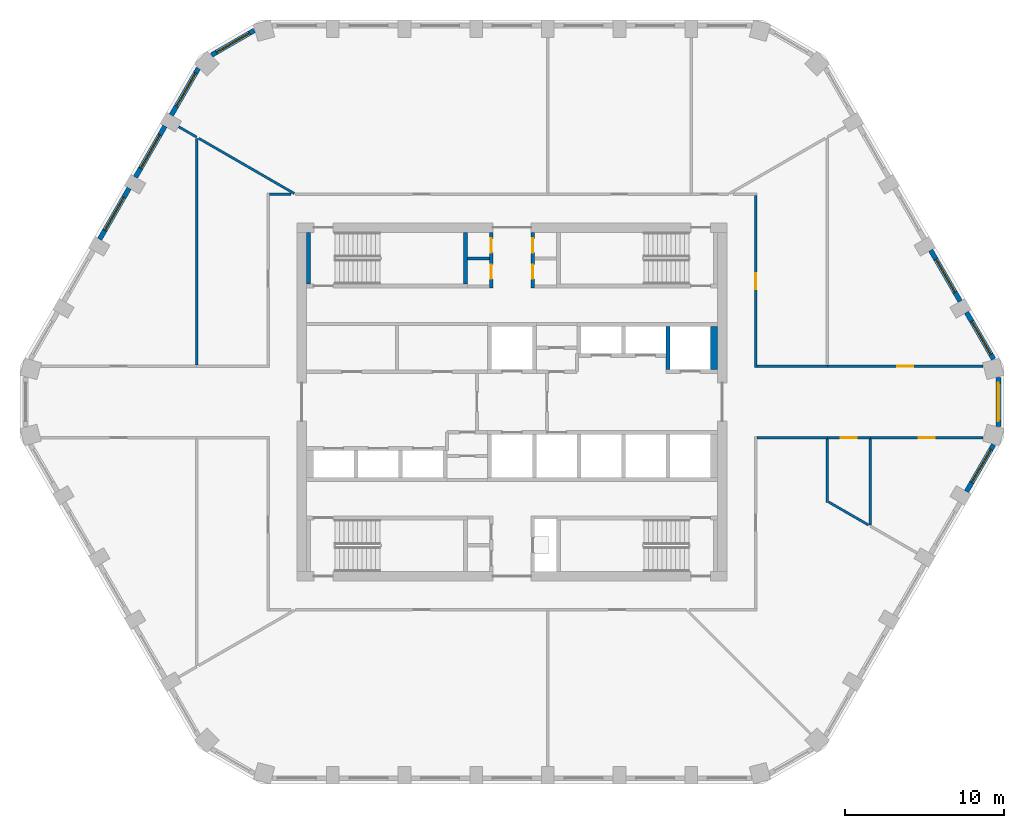
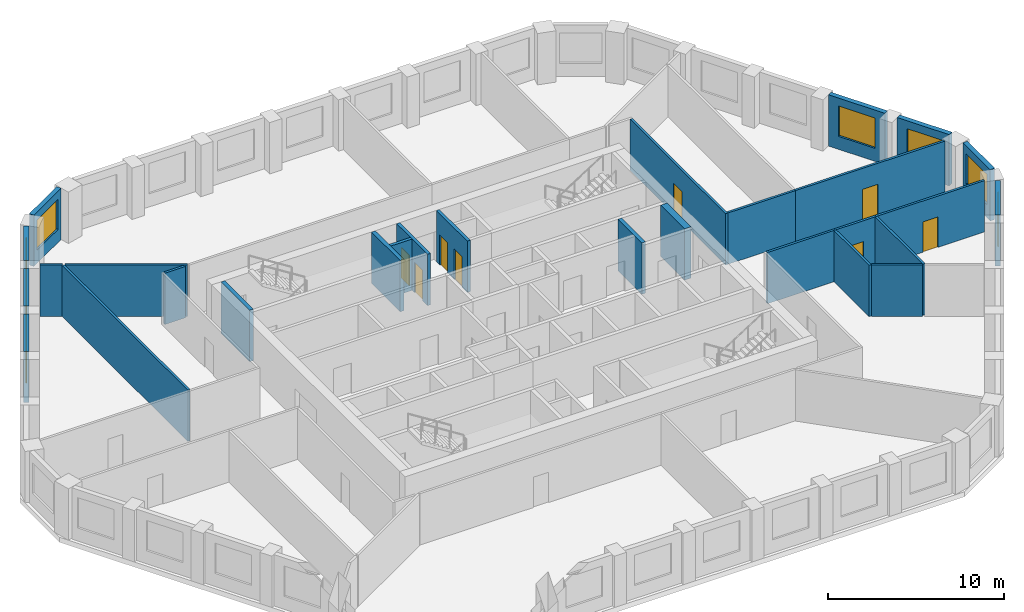
# One storey, part 5 of 8: 28 walls, 8 doors, 8 windows, 16 openings.
"""IFC4 building model written with IfcOpenShell, lengths in metres."""

from ifc_helpers import new_model, si_unit, direction, frame, frame_2d, origin, place, context, subcontext, project, spatial, polyline, rectangle, outline, extrude, material, layer, layer_set, type_object, element, fill, save


model = new_model("IFC4")

# Units and contexts
model_context = context("Model", 3, precision=1e-05, world=origin(), true_north=direction((0.0, 1.0)))
body_context = subcontext(model_context, "Body", "Model", "MODEL_VIEW")
ifc_project = project(units=[si_unit("LENGTHUNIT", "METRE"), si_unit("AREAUNIT", "SQUARE_METRE"), si_unit("VOLUMEUNIT", "CUBIC_METRE"), si_unit("PLANEANGLEUNIT", "RADIAN"), si_unit("MASSUNIT", "GRAM", prefix="KILO")], contexts=[model_context])

# Site, building, storey
site_placement = place(None, origin())
site = spatial("IfcSite", under=ifc_project, at=site_placement, CompositionType="ELEMENT")
building_placement = place(site_placement, origin())
building = spatial("IfcBuilding", under=site, at=building_placement, Name="Dhurran Vertical Campus", CompositionType="ELEMENT")
storey_placement = place(building_placement, frame((0.0, 0.0, 222.89990234375)))
storey = spatial("IfcBuildingStorey", under=building, at=storey_placement, Name="L55", CompositionType="ELEMENT", Elevation=222.89990234375)

# Wall, opening, window
ifc_material_1 = material(Name="Precast concrete C50/60", Category="concrete")
ifc_layer_1 = layer(ifc_material_1, 0.300048828125)
ifc_layer_set_1 = layer_set([ifc_layer_1], Name="Precast concrete C50/60")
wall_type_1 = type_object("IfcWallType", Name="Precast spandrel wall 300", PredefinedType="SOLIDWALL", material=ifc_layer_set_1)
wall_1_placement = place(storey_placement, frame((28.544189453125, -5.625244140625, 0.0), z_axis=(0.0, 0.0, 1.0), x_axis=(0.500012868213, 0.866017974191, 0.0)))
wall_1 = element("IfcWall", 1, at=wall_1_placement, inside=storey, type_object=wall_type_1, Name="EW1 L55.12", PredefinedType="SOLIDWALL", context=body_context, shape_type="SweptSolid", body=[
    extrude(rectangle(XDim=3.39599609375, YDim=0.300048828125, at=frame_2d((1.697998046875, 0.0))), origin(), (0.0, 0.0, 1.0), 3.550048828125),
])
opening_1_placement = place(wall_1_placement, frame((0.6494140625, 0.0, 0.89990234375)))
opening_1 = element("IfcOpeningElement", 2, at=opening_1_placement, cuts=wall_1, Name="Opening WT1", PredefinedType="OPENING", context=body_context, shape_type="SweptSolid", body=[
    extrude(rectangle(XDim=2.39990234375, YDim=2.10009765625, at=frame_2d((1.199951171875, 1.050048828125))), frame((0.0, 0.159912109375, 0.0), z_axis=(0.0, -1.0, 0.0), x_axis=(1.0, 0.0, 0.0)), (0.0, 0.0, 1.0), 0.320068359375),
])
ifc_material_2 = material(Name="Aluminium frame with solar-control glass", Category="aluminium")
window_type = type_object("IfcWindowType", Name="Punched window 2400 x 2100", PartitioningType="SINGLE_PANEL", PredefinedType="WINDOW", material=ifc_material_2)
window_1_placement = place(opening_1_placement, origin())
window_1 = element("IfcWindow", 3, at=window_1_placement, inside=storey, type_object=window_type, Name="WT1 L55.12", OverallHeight=2.10009765625, OverallWidth=2.39990234375, PartitioningType="SINGLE_PANEL", PredefinedType="WINDOW", context=body_context, shape_type="SweptSolid", body=[
    extrude(rectangle(XDim=2.39990234375, YDim=2.10009765625, at=frame_2d((1.199951171875, 1.050048828125))), frame((0.0, 0.030029296875, 0.0), z_axis=(0.0, -1.0, 0.0), x_axis=(1.0, 0.0, 0.0)), (0.0, 0.0, 1.0), 0.06005859375),
])
fill(opening_1, window_1)

wall_2_placement = place(storey_placement, frame((30.547119140625, -1.54638671875, 0.0), z_axis=(0.0, 0.0, 1.0), x_axis=(0.0, 1.0, 0.0)))
wall_2 = element("IfcWall", 4, at=wall_2_placement, inside=storey, type_object=wall_type_1, Name="EW1 L55.13", PredefinedType="SOLIDWALL", context=body_context, shape_type="SweptSolid", body=[
    extrude(rectangle(XDim=3.0927734375, YDim=0.300048828125, at=frame_2d((1.54638671875, 0.0))), origin(), (0.0, 0.0, 1.0), 3.550048828125),
])
opening_2_placement = place(wall_2_placement, frame((0.34619140625, 0.0, 0.89990234375)))
opening_2 = element("IfcOpeningElement", 5, at=opening_2_placement, cuts=wall_2, Name="Opening WT1", PredefinedType="OPENING", context=body_context, shape_type="SweptSolid", body=[
    extrude(rectangle(XDim=2.39990234375, YDim=2.10009765625, at=frame_2d((1.199951171875, 1.050048828125))), frame((0.0, 0.159912109375, 0.0), z_axis=(0.0, -1.0, 0.0), x_axis=(1.0, 0.0, 0.0)), (0.0, 0.0, 1.0), 0.320068359375),
])
window_2_placement = place(opening_2_placement, origin())
window_2 = element("IfcWindow", 6, at=window_2_placement, inside=storey, type_object=window_type, Name="WT1 L55.13", OverallHeight=2.10009765625, OverallWidth=2.39990234375, PartitioningType="SINGLE_PANEL", PredefinedType="WINDOW", context=body_context, shape_type="SweptSolid", body=[
    extrude(rectangle(XDim=2.39990234375, YDim=2.10009765625, at=frame_2d((1.199951171875, 1.050048828125))), frame((0.0, 0.030029296875, 0.0), z_axis=(0.0, -1.0, 0.0), x_axis=(1.0, 0.0, 0.0)), (0.0, 0.0, 1.0), 0.06005859375),
])
fill(opening_2, window_2)

wall_3_placement = place(storey_placement, frame((30.2421875, 2.684326171875, 0.0), z_axis=(0.0, 0.0, 1.0), x_axis=(-0.500012868213, 0.866017974191, 0.0)))
wall_3 = element("IfcWall", 7, at=wall_3_placement, inside=storey, type_object=wall_type_1, Name="EW1 L55.14", PredefinedType="SOLIDWALL", context=body_context, shape_type="SweptSolid", body=[
    extrude(rectangle(XDim=3.39599609375, YDim=0.300048828125, at=frame_2d((1.697998046875, 0.0))), origin(), (0.0, 0.0, 1.0), 3.550048828125),
])
opening_3_placement = place(wall_3_placement, frame((0.346435546875, 0.0, 0.89990234375)))
opening_3 = element("IfcOpeningElement", 8, at=opening_3_placement, cuts=wall_3, Name="Opening WT1", PredefinedType="OPENING", context=body_context, shape_type="SweptSolid", body=[
    extrude(rectangle(XDim=2.39990234375, YDim=2.10009765625, at=frame_2d((1.199951171875, 1.050048828125))), frame((0.0, 0.159912109375, 0.0), z_axis=(0.0, -1.0, 0.0), x_axis=(1.0, 0.0, 0.0)), (0.0, 0.0, 1.0), 0.320068359375),
])
window_3_placement = place(opening_3_placement, origin())
window_3 = element("IfcWindow", 9, at=window_3_placement, inside=storey, type_object=window_type, Name="WT1 L55.14", OverallHeight=2.10009765625, OverallWidth=2.39990234375, PartitioningType="SINGLE_PANEL", PredefinedType="WINDOW", context=body_context, shape_type="SweptSolid", body=[
    extrude(rectangle(XDim=2.39990234375, YDim=2.10009765625, at=frame_2d((1.199951171875, 1.050048828125))), frame((0.0, 0.030029296875, 0.0), z_axis=(0.0, -1.0, 0.0), x_axis=(1.0, 0.0, 0.0)), (0.0, 0.0, 1.0), 0.06005859375),
])
fill(opening_3, window_3)

wall_4_placement = place(storey_placement, frame((28.143798828125, 6.319091796875, 0.0), z_axis=(0.0, 0.0, 1.0), x_axis=(-0.500029062817, 0.866008623709, 0.0)))
wall_4 = element("IfcWall", 10, at=wall_4_placement, inside=storey, type_object=wall_type_1, Name="EW1 L55.15", PredefinedType="SOLIDWALL", context=body_context, shape_type="SweptSolid", body=[
    extrude(rectangle(XDim=3.698974609375, YDim=0.300048828125, at=frame_2d((1.849609375, 0.0))), origin(), (0.0, 0.0, 1.0), 3.550048828125),
])
opening_4_placement = place(wall_4_placement, frame((0.6494140625, 0.0, 0.89990234375)))
opening_4 = element("IfcOpeningElement", 11, at=opening_4_placement, cuts=wall_4, Name="Opening WT1", PredefinedType="OPENING", context=body_context, shape_type="SweptSolid", body=[
    extrude(rectangle(XDim=2.39990234375, YDim=2.10009765625, at=frame_2d((1.199951171875, 1.050048828125))), frame((0.0, 0.159912109375, 0.0), z_axis=(0.0, -1.0, 0.0), x_axis=(1.0, 0.0, 0.0)), (0.0, 0.0, 1.0), 0.320068359375),
])
window_4_placement = place(opening_4_placement, origin())
window_4 = element("IfcWindow", 12, at=window_4_placement, inside=storey, type_object=window_type, Name="WT1 L55.15", OverallHeight=2.10009765625, OverallWidth=2.39990234375, PartitioningType="SINGLE_PANEL", PredefinedType="WINDOW", context=body_context, shape_type="SweptSolid", body=[
    extrude(rectangle(XDim=2.39990234375, YDim=2.10009765625, at=frame_2d((1.199951171875, 1.050048828125))), frame((0.0, 0.030029296875, 0.0), z_axis=(0.0, -1.0, 0.0), x_axis=(1.0, 0.0, 0.0)), (0.0, 0.0, 1.0), 0.06005859375),
])
fill(opening_4, window_4)

wall_5_placement = place(storey_placement, frame((-16.184326171875, 23.330810546875, 0.0), z_axis=(0.0, 0.0, 1.0), x_axis=(-0.865994975416, -0.500052699777, 0.0)))
wall_5 = element("IfcWall", 13, at=wall_5_placement, inside=storey, type_object=wall_type_1, Name="EW1 L55.27", PredefinedType="SOLIDWALL", context=body_context, shape_type="SweptSolid", body=[
    extrude(rectangle(XDim=3.093017578125, YDim=0.300048828125, at=frame_2d((1.54638671875, 0.0))), origin(), (0.0, 0.0, 1.0), 3.550048828125),
])
opening_5_placement = place(wall_5_placement, frame((0.346435546875, 0.0, 0.89990234375)))
opening_5 = element("IfcOpeningElement", 14, at=opening_5_placement, cuts=wall_5, Name="Opening WT1", PredefinedType="OPENING", context=body_context, shape_type="SweptSolid", body=[
    extrude(rectangle(XDim=2.39990234375, YDim=2.10009765625, at=frame_2d((1.199951171875, 1.050048828125))), frame((0.0, 0.159912109375, 0.0), z_axis=(0.0, -1.0, 0.0), x_axis=(1.0, 0.0, 0.0)), (0.0, 0.0, 1.0), 0.320068359375),
])
window_5_placement = place(opening_5_placement, origin())
window_5 = element("IfcWindow", 15, at=window_5_placement, inside=storey, type_object=window_type, Name="WT1 L55.27", OverallHeight=2.10009765625, OverallWidth=2.39990234375, PartitioningType="SINGLE_PANEL", PredefinedType="WINDOW", context=body_context, shape_type="SweptSolid", body=[
    extrude(rectangle(XDim=2.39990234375, YDim=2.10009765625, at=frame_2d((1.199951171875, 1.050048828125))), frame((0.0, 0.030029296875, 0.0), z_axis=(0.0, -1.0, 0.0), x_axis=(1.0, 0.0, 0.0)), (0.0, 0.0, 1.0), 0.06005859375),
])
fill(opening_5, window_5)

wall_6_placement = place(storey_placement, frame((-19.69580078125, 20.951171875, 0.0), z_axis=(0.0, 0.0, 1.0), x_axis=(-0.500012868213, -0.866017974191, 0.0)))
wall_6 = element("IfcWall", 16, at=wall_6_placement, inside=storey, type_object=wall_type_1, Name="EW1 L55.28", PredefinedType="SOLIDWALL", context=body_context, shape_type="SweptSolid", body=[
    extrude(rectangle(XDim=3.39599609375, YDim=0.300048828125, at=frame_2d((1.697998046875, 0.0))), origin(), (0.0, 0.0, 1.0), 3.550048828125),
])
opening_6_placement = place(wall_6_placement, frame((0.346435546875, 0.0, 0.89990234375)))
opening_6 = element("IfcOpeningElement", 17, at=opening_6_placement, cuts=wall_6, Name="Opening WT1", PredefinedType="OPENING", context=body_context, shape_type="SweptSolid", body=[
    extrude(rectangle(XDim=2.39990234375, YDim=2.10009765625, at=frame_2d((1.199951171875, 1.050048828125))), frame((0.0, 0.159912109375, 0.0), z_axis=(0.0, -1.0, 0.0), x_axis=(1.0, 0.0, 0.0)), (0.0, 0.0, 1.0), 0.320068359375),
])
window_6_placement = place(opening_6_placement, origin())
window_6 = element("IfcWindow", 18, at=window_6_placement, inside=storey, type_object=window_type, Name="WT1 L55.28", OverallHeight=2.10009765625, OverallWidth=2.39990234375, PartitioningType="SINGLE_PANEL", PredefinedType="WINDOW", context=body_context, shape_type="SweptSolid", body=[
    extrude(rectangle(XDim=2.39990234375, YDim=2.10009765625, at=frame_2d((1.199951171875, 1.050048828125))), frame((0.0, 0.030029296875, 0.0), z_axis=(0.0, -1.0, 0.0), x_axis=(1.0, 0.0, 0.0)), (0.0, 0.0, 1.0), 0.06005859375),
])
fill(opening_6, window_6)

wall_7_placement = place(storey_placement, frame((-21.794189453125, 17.316650390625, 0.0), z_axis=(0.0, 0.0, 1.0), x_axis=(-0.500029062817, -0.866008623709, 0.0)))
wall_7 = element("IfcWall", 19, at=wall_7_placement, inside=storey, type_object=wall_type_1, Name="EW1 L55.29", PredefinedType="SOLIDWALL", context=body_context, shape_type="SweptSolid", body=[
    extrude(rectangle(XDim=3.698974609375, YDim=0.300048828125, at=frame_2d((1.849609375, 0.0))), origin(), (0.0, 0.0, 1.0), 3.550048828125),
])
opening_7_placement = place(wall_7_placement, frame((0.6494140625, 0.0, 0.89990234375)))
opening_7 = element("IfcOpeningElement", 20, at=opening_7_placement, cuts=wall_7, Name="Opening WT1", PredefinedType="OPENING", context=body_context, shape_type="SweptSolid", body=[
    extrude(rectangle(XDim=2.39990234375, YDim=2.10009765625, at=frame_2d((1.199951171875, 1.050048828125))), frame((0.0, 0.159912109375, 0.0), z_axis=(0.0, -1.0, 0.0), x_axis=(1.0, 0.0, 0.0)), (0.0, 0.0, 1.0), 0.320068359375),
])
window_7_placement = place(opening_7_placement, origin())
window_7 = element("IfcWindow", 21, at=window_7_placement, inside=storey, type_object=window_type, Name="WT1 L55.29", OverallHeight=2.10009765625, OverallWidth=2.39990234375, PartitioningType="SINGLE_PANEL", PredefinedType="WINDOW", context=body_context, shape_type="SweptSolid", body=[
    extrude(rectangle(XDim=2.39990234375, YDim=2.10009765625, at=frame_2d((1.199951171875, 1.050048828125))), frame((0.0, 0.030029296875, 0.0), z_axis=(0.0, -1.0, 0.0), x_axis=(1.0, 0.0, 0.0)), (0.0, 0.0, 1.0), 0.06005859375),
])
fill(opening_7, window_7)

wall_8_placement = place(storey_placement, frame((-24.044189453125, 13.41943359375, 0.0), z_axis=(0.0, 0.0, 1.0), x_axis=(-0.500029062817, -0.866008623709, 0.0)))
wall_8 = element("IfcWall", 22, at=wall_8_placement, inside=storey, type_object=wall_type_1, Name="EW1 L55.30", PredefinedType="SOLIDWALL", context=body_context, shape_type="SweptSolid", body=[
    extrude(rectangle(XDim=3.698974609375, YDim=0.300048828125, at=frame_2d((1.849609375, 0.0))), origin(), (0.0, 0.0, 1.0), 3.550048828125),
])
opening_8_placement = place(wall_8_placement, frame((0.6494140625, 0.0, 0.89990234375)))
opening_8 = element("IfcOpeningElement", 23, at=opening_8_placement, cuts=wall_8, Name="Opening WT1", PredefinedType="OPENING", context=body_context, shape_type="SweptSolid", body=[
    extrude(rectangle(XDim=2.39990234375, YDim=2.10009765625, at=frame_2d((1.199951171875, 1.050048828125))), frame((0.0, 0.159912109375, 0.0), z_axis=(0.0, -1.0, 0.0), x_axis=(1.0, 0.0, 0.0)), (0.0, 0.0, 1.0), 0.320068359375),
])
window_8_placement = place(opening_8_placement, origin())
window_8 = element("IfcWindow", 24, at=window_8_placement, inside=storey, type_object=window_type, Name="WT1 L55.30", OverallHeight=2.10009765625, OverallWidth=2.39990234375, PartitioningType="SINGLE_PANEL", PredefinedType="WINDOW", context=body_context, shape_type="SweptSolid", body=[
    extrude(rectangle(XDim=2.39990234375, YDim=2.10009765625, at=frame_2d((1.199951171875, 1.050048828125))), frame((0.0, 0.030029296875, 0.0), z_axis=(0.0, -1.0, 0.0), x_axis=(1.0, 0.0, 0.0)), (0.0, 0.0, 1.0), 0.06005859375),
])
fill(opening_8, window_8)

# Wall
ifc_material_3 = material(Name="Fire-rated masonry blockwork", Category="masonry")
ifc_layer_2 = layer(ifc_material_3, 0.199951171875)
ifc_layer_set_2 = layer_set([ifc_layer_2], Name="Fire-rated masonry blockwork")
wall_type_2 = type_object("IfcWallType", Name="co-FIRE-PARTITION-200", PredefinedType="PARTITIONING", material=ifc_layer_set_2)
wall_9_placement = place(storey_placement, frame((-2.800048828125, 9.0, 0.0), z_axis=(0.0, 0.0, 1.0), x_axis=(1.0, 0.0, 0.0)))
element("IfcWall", 25, at=wall_9_placement, inside=storey, type_object=wall_type_2, Name="Core partition sl-NW-cut0 L55", PredefinedType="PARTITIONING", context=body_context, shape_type="SweptSolid", body=[
    extrude(rectangle(XDim=1.400146484375, YDim=0.199951171875, at=frame_2d((0.7001953125, 0.0))), origin(), (0.0, 0.0, 1.0), 3.550048828125),
])

# Wall, openings, doors
wall_10_placement = place(storey_placement, frame((-1.300048828125, 7.14990234375, 0.0), z_axis=(0.0, 0.0, 1.0), x_axis=(0.0, 1.0, 0.0)))
wall_10 = element("IfcWall", 26, at=wall_10_placement, inside=storey, type_object=wall_type_2, Name="Core partition vest-NW L55", PredefinedType="PARTITIONING", context=body_context, shape_type="SweptSolid", body=[
    extrude(rectangle(XDim=3.5, YDim=0.199951171875, at=frame_2d((1.75, 0.0))), origin(), (0.0, 0.0, 1.0), 3.550048828125),
])
opening_9_placement = place(wall_10_placement, frame((0.574951171875, 0.0, 0.0)))
opening_9 = element("IfcOpeningElement", 27, at=opening_9_placement, cuts=wall_10, Name="Opening T16-C4", PredefinedType="OPENING", context=body_context, shape_type="SweptSolid", body=[
    extrude(rectangle(XDim=0.89990234375, YDim=2.10009765625, at=frame_2d((0.449951171875, 1.050048828125))), frame((0.0, 0.10986328125, 0.0), z_axis=(0.0, -1.0, 0.0), x_axis=(1.0, 0.0, 0.0)), (0.0, 0.0, 1.0), 0.219970703125),
])
opening_10_placement = place(wall_10_placement, frame((2.22509765625, 0.0, 0.0)))
opening_10 = element("IfcOpeningElement", 28, at=opening_10_placement, cuts=wall_10, Name="Opening T16-C5", PredefinedType="OPENING", context=body_context, shape_type="SweptSolid", body=[
    extrude(rectangle(XDim=0.89990234375, YDim=2.10009765625, at=frame_2d((0.449951171875, 1.050048828125))), frame((0.0, 0.10986328125, 0.0), z_axis=(0.0, -1.0, 0.0), x_axis=(1.0, 0.0, 0.0)), (0.0, 0.0, 1.0), 0.219970703125),
])
ifc_material_4 = material(Name="Fire-rated timber door set", Category="wood")
door_type_1 = type_object("IfcDoorType", Name="co-D-ROOM 900x2100", OperationType="SINGLE_SWING_LEFT", PredefinedType="DOOR", material=ifc_material_4)
door_1_placement = place(opening_9_placement, origin())
door_1 = element("IfcDoor", 29, at=door_1_placement, inside=storey, type_object=door_type_1, Name="Fire equipment store door L55", OperationType="SINGLE_SWING_LEFT", OverallHeight=2.10009765625, OverallWidth=0.89990234375, PredefinedType="DOOR", context=body_context, shape_type="SweptSolid", body=[
    extrude(rectangle(XDim=0.89990234375, YDim=2.10009765625, at=frame_2d((0.449951171875, 1.050048828125))), frame((0.0, 0.02490234375, 0.0), z_axis=(0.0, -1.0, 0.0), x_axis=(1.0, 0.0, 0.0)), (0.0, 0.0, 1.0), 0.050048828125),
])
fill(opening_9, door_1)
door_2_placement = place(opening_10_placement, origin())
door_2 = element("IfcDoor", 30, at=door_2_placement, inside=storey, type_object=door_type_1, Name="Cleaner's store door L55", OperationType="SINGLE_SWING_LEFT", OverallHeight=2.10009765625, OverallWidth=0.89990234375, PredefinedType="DOOR", context=body_context, shape_type="SweptSolid", body=[
    extrude(rectangle(XDim=0.89990234375, YDim=2.10009765625, at=frame_2d((0.449951171875, 1.050048828125))), frame((0.0, 0.02490234375, 0.0), z_axis=(0.0, -1.0, 0.0), x_axis=(1.0, 0.0, 0.0)), (0.0, 0.0, 1.0), 0.050048828125),
])
fill(opening_10, door_2)

wall_11_placement = place(storey_placement, frame((1.300048828125, 7.14990234375, 0.0), z_axis=(0.0, 0.0, 1.0), x_axis=(0.0, 1.0, 0.0)))
wall_11 = element("IfcWall", 31, at=wall_11_placement, inside=storey, type_object=wall_type_2, Name="Core partition vest-NE L55", PredefinedType="PARTITIONING", context=body_context, shape_type="SweptSolid", body=[
    extrude(rectangle(XDim=3.5, YDim=0.199951171875, at=frame_2d((1.75, 0.0))), origin(), (0.0, 0.0, 1.0), 3.550048828125),
])
opening_11_placement = place(wall_11_placement, frame((0.574951171875, 0.0, 0.0)))
opening_11 = element("IfcOpeningElement", 32, at=opening_11_placement, cuts=wall_11, Name="Opening T16-C6", PredefinedType="OPENING", context=body_context, shape_type="SweptSolid", body=[
    extrude(rectangle(XDim=0.89990234375, YDim=2.10009765625, at=frame_2d((0.449951171875, 1.050048828125))), frame((0.0, 0.10986328125, 0.0), z_axis=(0.0, -1.0, 0.0), x_axis=(1.0, 0.0, 0.0)), (0.0, 0.0, 1.0), 0.219970703125),
])
opening_12_placement = place(wall_11_placement, frame((2.22509765625, 0.0, 0.0)))
opening_12 = element("IfcOpeningElement", 33, at=opening_12_placement, cuts=wall_11, Name="Opening T16-C7", PredefinedType="OPENING", context=body_context, shape_type="SweptSolid", body=[
    extrude(rectangle(XDim=0.89990234375, YDim=2.10009765625, at=frame_2d((0.449951171875, 1.050048828125))), frame((0.0, 0.10986328125, 0.0), z_axis=(0.0, -1.0, 0.0), x_axis=(1.0, 0.0, 0.0)), (0.0, 0.0, 1.0), 0.219970703125),
])
door_3_placement = place(opening_11_placement, origin())
door_3 = element("IfcDoor", 34, at=door_3_placement, inside=storey, type_object=door_type_1, Name="Housekeeping store door L55", OperationType="SINGLE_SWING_LEFT", OverallHeight=2.10009765625, OverallWidth=0.89990234375, PredefinedType="DOOR", context=body_context, shape_type="SweptSolid", body=[
    extrude(rectangle(XDim=0.89990234375, YDim=2.10009765625, at=frame_2d((0.449951171875, 1.050048828125))), frame((0.0, 0.02490234375, 0.0), z_axis=(0.0, -1.0, 0.0), x_axis=(1.0, 0.0, 0.0)), (0.0, 0.0, 1.0), 0.050048828125),
])
fill(opening_11, door_3)
door_4_placement = place(opening_12_placement, origin())
door_4 = element("IfcDoor", 35, at=door_4_placement, inside=storey, type_object=door_type_1, Name="Waste room door L55", OperationType="SINGLE_SWING_LEFT", OverallHeight=2.10009765625, OverallWidth=0.89990234375, PredefinedType="DOOR", context=body_context, shape_type="SweptSolid", body=[
    extrude(rectangle(XDim=0.89990234375, YDim=2.10009765625, at=frame_2d((0.449951171875, 1.050048828125))), frame((0.0, 0.02490234375, 0.0), z_axis=(0.0, -1.0, 0.0), x_axis=(1.0, 0.0, 0.0)), (0.0, 0.0, 1.0), 0.050048828125),
])
fill(opening_12, door_4)

# Walls
ifc_material_5 = material(Name="Concrete C50/60", Category="concrete")
ifc_layer_3 = layer(ifc_material_5, 0.25)
ifc_layer_set_3 = layer_set([ifc_layer_3], Name="Concrete C50/60")
wall_type_3 = type_object("IfcWallType", Name="co-SHAFT-MASS-250", PredefinedType="SHEAR", material=ifc_layer_set_3)
wall_12_placement = place(storey_placement, origin())
element("IfcWall", 36, at=wall_12_placement, inside=storey, type_object=wall_type_3, Name="Lift shaft wall N L55 5", PredefinedType="SHEAR", context=body_context, shape_type="SweptSolid", body=[
    extrude(outline(polyline([(9.675048828125, 2.050048828125), (9.925048828125, 2.050048828125), (9.925048828125, 4.75), (9.675048828125, 4.75), (9.675048828125, 2.050048828125)])), origin(), (0.0, 0.0, 1.0), 3.550048828125),
])
wall_13_placement = place(storey_placement, origin())
element("IfcWall", 37, at=wall_13_placement, inside=storey, type_object=wall_type_3, Name="Lift shaft wall N L55 6", PredefinedType="SHEAR", context=body_context, shape_type="SweptSolid", body=[
    extrude(outline(polyline([(12.47509765625, 2.050048828125), (12.89990234375, 2.050048828125), (12.89990234375, 4.75), (12.47509765625, 4.75), (12.47509765625, 2.050048828125)])), origin(), (0.0, 0.0, 1.0), 3.550048828125),
])
ifc_material_6 = material(Name="Concrete C40/50", Category="concrete")
ifc_layer_4 = layer(ifc_material_6, 0.25)
ifc_layer_set_4 = layer_set([ifc_layer_4], Name="Concrete C40/50")
wall_type_4 = type_object("IfcWallType", Name="co-STAIR-WALL-250", PredefinedType="SHEAR", material=ifc_layer_set_4)
for number, where, z_axis, x_axis, name in (
    (38, (-12.77490234375, 7.39990234375, 0.0), (0.0, 0.0, 1.0), (0.0, 1.0, 0.0), "Stair ST1 enclosure wall L55"),
    (39, (-2.925048828125, 7.39990234375, 0.0), (0.0, 0.0, 1.0), (0.0, 1.0, 0.0), "Stair ST1 enclosure wall L55"),
):
    element("IfcWall", number, at=place(storey_placement, frame(where, z_axis=z_axis, x_axis=x_axis)), inside=storey, type_object=wall_type_4, Name=name, PredefinedType="SHEAR", context=body_context, shape_type="SweptSolid", body=[
        extrude(rectangle(XDim=3.25, YDim=0.25, at=frame_2d((1.625, 0.0))), origin(), (0.0, 0.0, 1.0), 3.550048828125),
    ])
ifc_material_7 = material(Name="Gypsum board corridor wall on steel studs", Category="steel")
ifc_layer_5 = layer(ifc_material_7, 0.14990234375)
ifc_layer_set_5 = layer_set([ifc_layer_5], Name="Gypsum board corridor wall on steel studs")
wall_type_5 = type_object("IfcWallType", Name="fl-CW-150 corridor wall", PredefinedType="PARTITIONING", material=ifc_layer_set_5)
wall_14_placement = place(storey_placement, frame((-13.8779296875, 13.050048828125, 0.0), z_axis=(0.0, 0.0, 1.0), x_axis=(-1.0, 0.0, 0.0)))
element("IfcWall", 40, at=wall_14_placement, inside=storey, type_object=wall_type_5, Name="Partition 55-14", PredefinedType="PARTITIONING", context=body_context, shape_type="SweptSolid", body=[
    extrude(rectangle(XDim=1.34716796875, YDim=0.14990234375, at=frame_2d((0.673583984375, 0.0))), origin(), (0.0, 0.0, 1.0), 3.550048828125),
])
wall_15_placement = place(storey_placement, frame((19.800048828125, -2.25, 0.0), z_axis=(0.0, 0.0, 1.0), x_axis=(-1.0, 0.0, 0.0)))
element("IfcWall", 41, at=wall_15_placement, inside=storey, type_object=wall_type_5, Name="Partition 55-28", PredefinedType="PARTITIONING", context=body_context, shape_type="SweptSolid", body=[
    extrude(rectangle(XDim=4.425048828125, YDim=0.14990234375, at=frame_2d((2.21240234375, 0.0))), origin(), (0.0, 0.0, 1.0), 3.550048828125),
])

# Wall, opening, door
wall_16_placement = place(storey_placement, frame((15.300048828125, 2.175048828125, 0.0), z_axis=(0.0, 0.0, 1.0), x_axis=(0.0, 1.0, 0.0)))
wall_16 = element("IfcWall", 42, at=wall_16_placement, inside=storey, type_object=wall_type_5, Name="Partition 55-29", PredefinedType="PARTITIONING", context=body_context, shape_type="SweptSolid", body=[
    extrude(rectangle(XDim=10.800048828125, YDim=0.14990234375, at=frame_2d((5.39990234375, 0.0))), origin(), (0.0, 0.0, 1.0), 3.550048828125),
])
opening_13_placement = place(wall_16_placement, frame((4.89990234375, 0.0, 0.0)))
opening_13 = element("IfcOpeningElement", 43, at=opening_13_placement, cuts=wall_16, Name="Opening T16.10", PredefinedType="OPENING", context=body_context, shape_type="SweptSolid", body=[
    extrude(rectangle(XDim=1.0, YDim=2.10009765625, at=frame_2d((0.5, 1.050048828125))), frame((0.0, 0.0849609375, 0.0), z_axis=(0.0, -1.0, 0.0), x_axis=(1.0, 0.0, 0.0)), (0.0, 0.0, 1.0), 0.169921875),
])
ifc_material_8 = material(Name="Solid-core timber door set, fire-rated", Category="wood")
door_type_2 = type_object("IfcDoorType", Name="fl-D-1000x2100", OperationType="SINGLE_SWING_LEFT", PredefinedType="DOOR", material=ifc_material_8)
door_5_placement = place(opening_13_placement, origin())
door_5 = element("IfcDoor", 44, at=door_5_placement, inside=storey, type_object=door_type_2, Name="Door 55.10", OperationType="SINGLE_SWING_RIGHT", OverallHeight=2.10009765625, OverallWidth=1.0, PredefinedType="DOOR", context=body_context, shape_type="SweptSolid", body=[
    extrude(rectangle(XDim=1.0, YDim=2.10009765625, at=frame_2d((0.5, 1.050048828125))), frame((0.0, 0.02490234375, 0.0), z_axis=(0.0, -1.0, 0.0), x_axis=(1.0, 0.0, 0.0)), (0.0, 0.0, 1.0), 0.050048828125),
])
fill(opening_13, door_5)

# Wall
wall_17_placement = place(storey_placement, frame((15.375, 2.25, 0.0), z_axis=(0.0, 0.0, 1.0), x_axis=(1.0, 0.0, 0.0)))
element("IfcWall", 45, at=wall_17_placement, inside=storey, type_object=wall_type_5, Name="Partition 55-30", PredefinedType="PARTITIONING", context=body_context, shape_type="SweptSolid", body=[
    extrude(rectangle(XDim=4.425048828125, YDim=0.14990234375, at=frame_2d((2.21240234375, 0.0))), origin(), (0.0, 0.0, 1.0), 3.550048828125),
])

# Wall, opening, door
wall_18_placement = place(storey_placement, frame((22.5, -2.25, 0.0), z_axis=(0.0, 0.0, 1.0), x_axis=(-1.0, 0.0, 0.0)))
wall_18 = element("IfcWall", 46, at=wall_18_placement, inside=storey, type_object=wall_type_5, Name="Partition 55-33", PredefinedType="PARTITIONING", context=body_context, shape_type="SweptSolid", body=[
    extrude(rectangle(XDim=2.699951171875, YDim=0.14990234375, at=frame_2d((1.35009765625, 0.0))), origin(), (0.0, 0.0, 1.0), 3.550048828125),
])
opening_14_placement = place(wall_18_placement, frame((0.85009765625, 0.0, 0.0)))
opening_14 = element("IfcOpeningElement", 47, at=opening_14_placement, cuts=wall_18, Name="Opening T16.12", PredefinedType="OPENING", context=body_context, shape_type="SweptSolid", body=[
    extrude(rectangle(XDim=1.0, YDim=2.10009765625, at=frame_2d((0.5, 1.050048828125))), frame((0.0, 0.0849609375, 0.0), z_axis=(0.0, -1.0, 0.0), x_axis=(1.0, 0.0, 0.0)), (0.0, 0.0, 1.0), 0.169921875),
])
door_6_placement = place(opening_14_placement, origin())
door_6 = element("IfcDoor", 48, at=door_6_placement, inside=storey, type_object=door_type_2, Name="Door 55.12", OperationType="SINGLE_SWING_LEFT", OverallHeight=2.10009765625, OverallWidth=1.0, PredefinedType="DOOR", context=body_context, shape_type="SweptSolid", body=[
    extrude(rectangle(XDim=1.0, YDim=2.10009765625, at=frame_2d((0.5, 1.050048828125))), frame((0.0, 0.02490234375, 0.0), z_axis=(0.0, -1.0, 0.0), x_axis=(1.0, 0.0, 0.0)), (0.0, 0.0, 1.0), 0.050048828125),
])
fill(opening_14, door_6)

wall_19_placement = place(storey_placement, frame((19.800048828125, 2.25, 0.0), z_axis=(0.0, 0.0, 1.0), x_axis=(1.0, 0.0, 0.0)))
wall_19 = element("IfcWall", 49, at=wall_19_placement, inside=storey, type_object=wall_type_5, Name="Partition 55-35", PredefinedType="PARTITIONING", context=body_context, shape_type="SweptSolid", body=[
    extrude(rectangle(XDim=9.784912109375, YDim=0.14990234375, at=frame_2d((4.892578125, 0.0))), origin(), (0.0, 0.0, 1.0), 3.550048828125),
])
opening_15_placement = place(wall_19_placement, frame((4.392578125, 0.0, 0.0)))
opening_15 = element("IfcOpeningElement", 50, at=opening_15_placement, cuts=wall_19, Name="Opening T16.13", PredefinedType="OPENING", context=body_context, shape_type="SweptSolid", body=[
    extrude(rectangle(XDim=1.0, YDim=2.10009765625, at=frame_2d((0.5, 1.050048828125))), frame((0.0, 0.0849609375, 0.0), z_axis=(0.0, -1.0, 0.0), x_axis=(1.0, 0.0, 0.0)), (0.0, 0.0, 1.0), 0.169921875),
])
door_7_placement = place(opening_15_placement, origin())
door_7 = element("IfcDoor", 51, at=door_7_placement, inside=storey, type_object=door_type_2, Name="Door 55.13", OperationType="SINGLE_SWING_RIGHT", OverallHeight=2.10009765625, OverallWidth=1.0, PredefinedType="DOOR", context=body_context, shape_type="SweptSolid", body=[
    extrude(rectangle(XDim=1.0, YDim=2.10009765625, at=frame_2d((0.5, 1.050048828125))), frame((0.0, 0.02490234375, 0.0), z_axis=(0.0, -1.0, 0.0), x_axis=(1.0, 0.0, 0.0)), (0.0, 0.0, 1.0), 0.050048828125),
])
fill(opening_15, door_7)

wall_20_placement = place(storey_placement, frame((29.5849609375, -2.25, 0.0), z_axis=(0.0, 0.0, 1.0), x_axis=(-1.0, 0.0, 0.0)))
wall_20 = element("IfcWall", 52, at=wall_20_placement, inside=storey, type_object=wall_type_5, Name="Partition 55-39", PredefinedType="PARTITIONING", context=body_context, shape_type="SweptSolid", body=[
    extrude(rectangle(XDim=7.0849609375, YDim=0.14990234375, at=frame_2d((3.54248046875, 0.0))), origin(), (0.0, 0.0, 1.0), 3.550048828125),
])
opening_16_placement = place(wall_20_placement, frame((3.04248046875, 0.0, 0.0)))
opening_16 = element("IfcOpeningElement", 53, at=opening_16_placement, cuts=wall_20, Name="Opening T16.14", PredefinedType="OPENING", context=body_context, shape_type="SweptSolid", body=[
    extrude(rectangle(XDim=1.0, YDim=2.10009765625, at=frame_2d((0.5, 1.050048828125))), frame((0.0, 0.0849609375, 0.0), z_axis=(0.0, -1.0, 0.0), x_axis=(1.0, 0.0, 0.0)), (0.0, 0.0, 1.0), 0.169921875),
])
door_8_placement = place(opening_16_placement, origin())
door_8 = element("IfcDoor", 54, at=door_8_placement, inside=storey, type_object=door_type_2, Name="Door 55.14", OperationType="SINGLE_SWING_LEFT", OverallHeight=2.10009765625, OverallWidth=1.0, PredefinedType="DOOR", context=body_context, shape_type="SweptSolid", body=[
    extrude(rectangle(XDim=1.0, YDim=2.10009765625, at=frame_2d((0.5, 1.050048828125))), frame((0.0, 0.02490234375, 0.0), z_axis=(0.0, -1.0, 0.0), x_axis=(1.0, 0.0, 0.0)), (0.0, 0.0, 1.0), 0.050048828125),
])
fill(opening_16, door_8)

# Walls
ifc_material_9 = material(Name="Gypsum board partition on steel studs", Category="steel")
ifc_layer_6 = layer(ifc_material_9, 0.14990234375)
ifc_layer_set_6 = layer_set([ifc_layer_6], Name="Gypsum board partition on steel studs")
wall_type_6 = type_object("IfcWallType", Name="fl-PW-150 fixed partition", PredefinedType="PARTITIONING", material=ifc_layer_set_6)
wall_21_placement = place(storey_placement, frame((-20.92724609375, 17.2783203125, 0.0), z_axis=(0.0, 0.0, 1.0), x_axis=(0.866157475642, -0.499771175029, 0.0)))
element("IfcWall", 55, at=wall_21_placement, inside=storey, type_object=wall_type_6, Name="Partition 55-04", PredefinedType="PARTITIONING", context=body_context, shape_type="SweptSolid", body=[
    extrude(rectangle(XDim=1.30126953125, YDim=0.14990234375, at=frame_2d((0.650634765625, 0.0))), origin(), (0.0, 0.0, 1.0), 3.550048828125),
])
wall_22_placement = place(storey_placement, frame((-19.800048828125, 16.552978515625, 0.0), z_axis=(0.0, 0.0, 1.0), x_axis=(0.0, -1.0, 0.0)))
element("IfcWall", 56, at=wall_22_placement, inside=storey, type_object=wall_type_6, Name="Partition 55-08", PredefinedType="PARTITIONING", context=body_context, shape_type="SweptSolid", body=[
    extrude(rectangle(XDim=14.22802734375, YDim=0.14990234375, at=frame_2d((7.114013671875, 0.0))), origin(), (0.0, 0.0, 1.0), 3.550048828125),
])
wall_23_placement = place(storey_placement, frame((-19.6875, 16.56298828125, 0.0), z_axis=(0.0, 0.0, 1.0), x_axis=(0.866012448988, -0.500022437694, 0.0)))
element("IfcWall", 57, at=wall_23_placement, inside=storey, type_object=wall_type_6, Name="Partition 55-10", PredefinedType="PARTITIONING", context=body_context, shape_type="SweptSolid", body=[
    extrude(rectangle(XDim=6.950927734375, YDim=0.14990234375, at=frame_2d((3.4755859375, 0.0))), origin(), (0.0, 0.0, 1.0), 3.550048828125),
])
wall_24_placement = place(storey_placement, frame((19.800048828125, -2.324951171875, 0.0), z_axis=(0.0, 0.0, 1.0), x_axis=(0.0, -1.0, 0.0)))
element("IfcWall", 58, at=wall_24_placement, inside=storey, type_object=wall_type_6, Name="Partition 55-31", PredefinedType="PARTITIONING", context=body_context, shape_type="SweptSolid", body=[
    extrude(rectangle(XDim=3.985107421875, YDim=0.14990234375, at=frame_2d((1.99267578125, 0.0))), origin(), (0.0, 0.0, 1.0), 3.550048828125),
])
wall_25_placement = place(storey_placement, frame((19.88671875, -6.284912109375, 0.0), z_axis=(0.0, 0.0, 1.0), x_axis=(0.865981426562, -0.500076163049, 0.0)))
element("IfcWall", 59, at=wall_25_placement, inside=storey, type_object=wall_type_6, Name="Partition 55-32", PredefinedType="PARTITIONING", context=body_context, shape_type="SweptSolid", body=[
    extrude(rectangle(XDim=2.8876953125, YDim=0.14990234375, at=frame_2d((1.44384765625, 0.0))), origin(), (0.0, 0.0, 1.0), 3.550048828125),
])
wall_26_placement = place(storey_placement, frame((22.5, -2.324951171875, 0.0), z_axis=(0.0, 0.0, 1.0), x_axis=(0.0, -1.0, 0.0)))
element("IfcWall", 60, at=wall_26_placement, inside=storey, type_object=wall_type_6, Name="Partition 55-37", PredefinedType="PARTITIONING", context=body_context, shape_type="SweptSolid", body=[
    extrude(rectangle(XDim=5.39404296875, YDim=0.14990234375, at=frame_2d((2.697021484375, 0.0))), origin(), (0.0, 0.0, 1.0), 3.550048828125),
])

save(model, "model.ifc")
